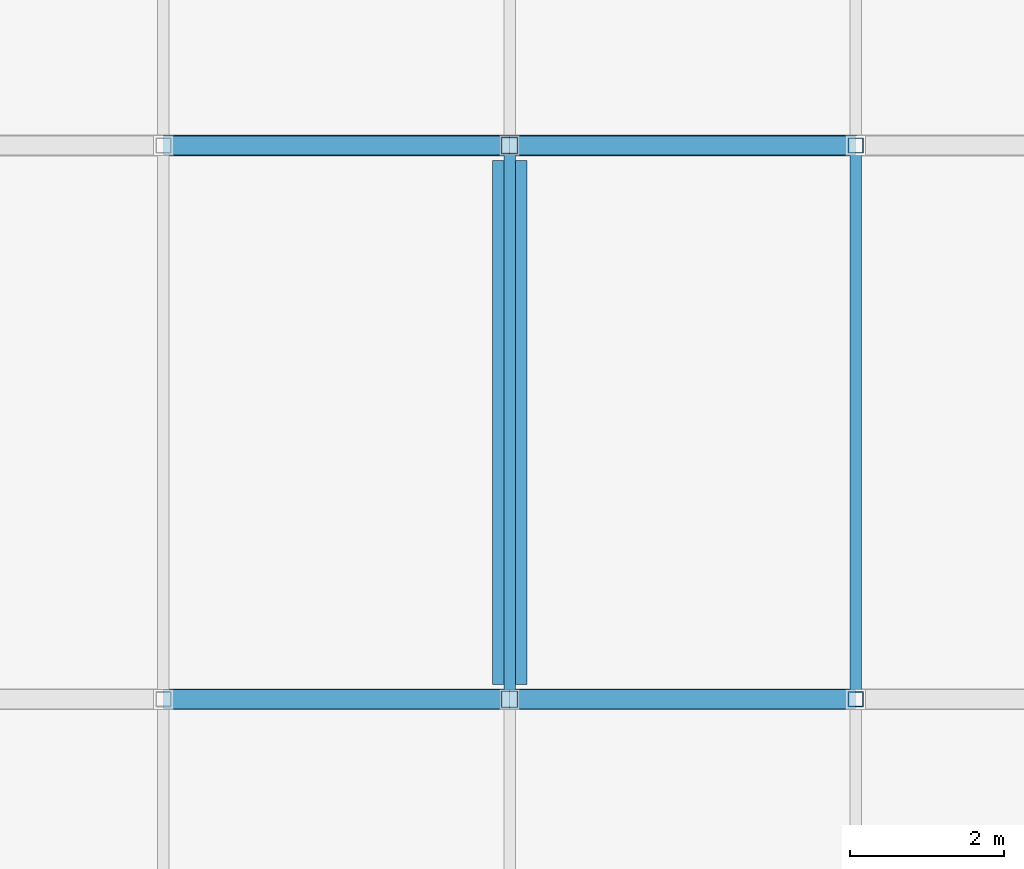
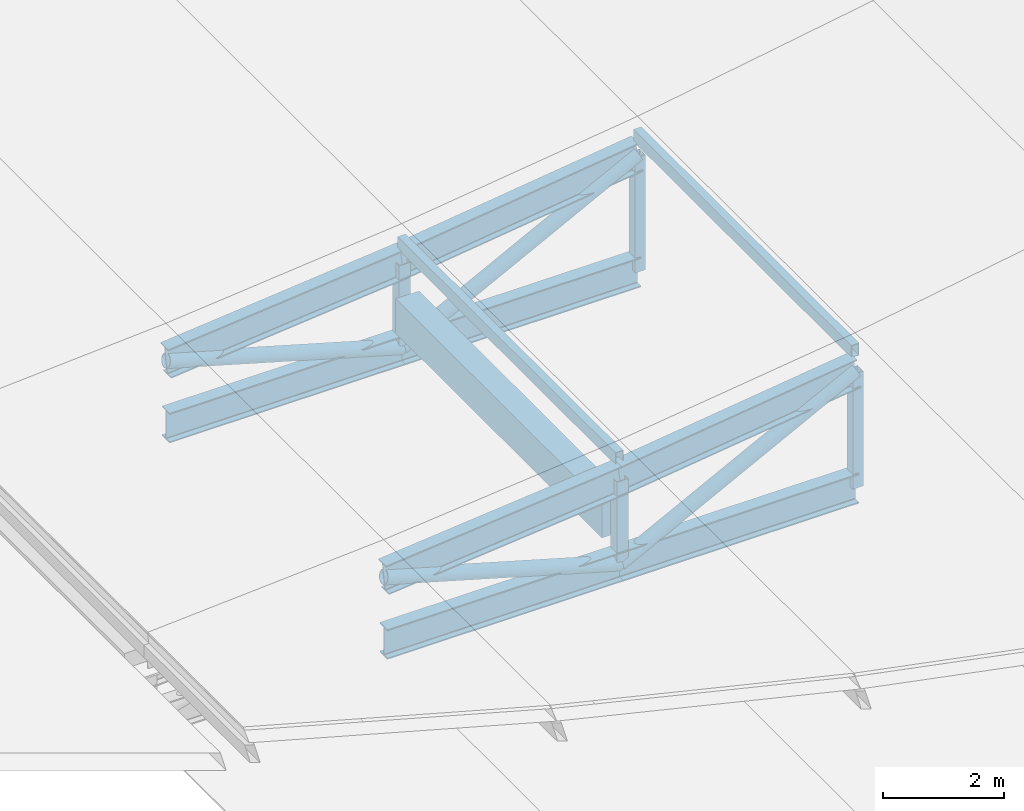
# One storey, part 4 of 24: 10 members, 9 beams.
"""IFC4 building model written with IfcOpenShell, lengths in metres."""

from ifc_helpers import new_model, si_unit, direction, frame, origin, origin_2d, place, context, subcontext, project, spatial, rectangle, hollow_rectangle, hollow_circle, i_section, extrude, material, material_profile, profile_set, type_object, element, save


model = new_model("IFC4")

# Units and contexts
model_context = context("Model", 3, precision=1e-05, world=origin(), true_north=direction((0.0, 1.0)))
body_context = subcontext(model_context, "Body", "Model", "MODEL_VIEW")
ifc_project = project(units=[si_unit("LENGTHUNIT", "METRE"), si_unit("AREAUNIT", "SQUARE_METRE"), si_unit("VOLUMEUNIT", "CUBIC_METRE"), si_unit("PLANEANGLEUNIT", "RADIAN"), si_unit("MASSUNIT", "GRAM", prefix="KILO"), si_unit("THERMODYNAMICTEMPERATUREUNIT", "KELVIN"), si_unit("POWERUNIT", "WATT")], contexts=[model_context])

# Site, building, storey
site_placement = place(None, origin())
site = spatial("IfcSite", under=ifc_project, at=site_placement, CompositionType="ELEMENT")
building_placement = place(site_placement, origin())
building = spatial("IfcBuilding", under=site, at=building_placement, Name="Sindhuravela Promenade Stadium", CompositionType="ELEMENT")
storey_placement = place(building_placement, frame((0.0, 0.0, 28.800048828125)))
storey = spatial("IfcBuildingStorey", under=building, at=storey_placement, Name="RF", CompositionType="ELEMENT", Elevation=28.800048828125)

# Beams
ifc_material_1 = material(Name="Concrete M40", Category="concrete")
ifc_material_profile_1 = material_profile(ifc_material_1, rectangle(XDim=0.449951171875, YDim=0.699951171875, at=origin_2d()), Name="RC 450x700")
ifc_profile_set_1 = profile_set([ifc_material_profile_1], Name="Concrete M40")
beam_type_1 = type_object("IfcBeamType", Name="RC-BM-450x700", PredefinedType="BEAM", material=ifc_profile_set_1)
beam_1_placement = place(storey_placement, frame((27.0, 61.393310546875, -0.590087890625), z_axis=(0.0, 1.0, 0.0), x_axis=(-1.0, 0.0, 0.0)))
element("IfcBeam", 1, at=beam_1_placement, inside=storey, type_object=beam_type_1, Name="Primary beam GB07 WEST RF", PredefinedType="BEAM", context=body_context, shape_type="SweptSolid", body=[
    extrude(rectangle(XDim=0.449951171875, YDim=0.699951171875, at=origin_2d()), origin(), (0.0, 0.0, 1.0), 6.8134765625),
])
ifc_material_2 = material(Name="Steel E350 (IS 2062 E350BR)", Category="steel")
ifc_material_profile_2 = material_profile(ifc_material_2, i_section(OverallWidth=0.25, OverallDepth=0.60009765625, WebThickness=0.01171875, FlangeThickness=0.023681640625, FilletRadius=0.01708984375, at=origin_2d()), Name="ISWB 600")
ifc_profile_set_2 = profile_set([ifc_material_profile_2], Name="Steel E350 (IS 2062 E350BR)")
beam_type_2 = type_object("IfcBeamType", Name="ST-BM-WB600", PredefinedType="USERDEFINED", material=ifc_profile_set_2)
beam_2_placement = place(storey_placement, frame((22.5, 61.199951171875, -0.106689453125), z_axis=(0.9953538541007115, 0.0, 0.09628450096905213), x_axis=(0.0, 1.0, 0.0)))
element("IfcBeam", 2, at=beam_2_placement, inside=storey, type_object=beam_type_2, Name="Roof truss RT-W03 top chord 2", ObjectType="ROOF TRUSS", PredefinedType="USERDEFINED", context=body_context, shape_type="SweptSolid", body=[
    extrude(i_section(OverallWidth=0.25, OverallDepth=0.60009765625, WebThickness=0.01171875, FlangeThickness=0.023681640625, FilletRadius=0.01708984375, at=origin_2d()), origin(), (0.0, 0.0, 1.0), 4.52099609375),
])
beam_3_placement = place(storey_placement, frame((22.5, 61.199951171875, -1.400146484375), z_axis=(1.0, 0.0, 0.0), x_axis=(0.0, 1.0, 0.0)))
element("IfcBeam", 3, at=beam_3_placement, inside=storey, type_object=beam_type_2, Name="Roof truss RT-W03 bottom chord 2", ObjectType="ROOF TRUSS", PredefinedType="USERDEFINED", context=body_context, shape_type="SweptSolid", body=[
    extrude(i_section(OverallWidth=0.25, OverallDepth=0.60009765625, WebThickness=0.01171875, FlangeThickness=0.023681640625, FilletRadius=0.01708984375, at=origin_2d()), origin(), (0.0, 0.0, 1.0), 4.5),
])
beam_4_placement = place(storey_placement, frame((27.0, 61.199951171875, 0.32861328125), z_axis=(0.9915324824363395, 0.0, 0.12985890910380443), x_axis=(0.0, 1.0, 0.0)))
element("IfcBeam", 4, at=beam_4_placement, inside=storey, type_object=beam_type_2, Name="Roof truss RT-W03 top chord 3", ObjectType="ROOF TRUSS", PredefinedType="USERDEFINED", context=body_context, shape_type="SweptSolid", body=[
    extrude(i_section(OverallWidth=0.25, OverallDepth=0.60009765625, WebThickness=0.01171875, FlangeThickness=0.023681640625, FilletRadius=0.01708984375, at=origin_2d()), origin(), (0.0, 0.0, 1.0), 4.538330078125),
])
beam_5_placement = place(storey_placement, frame((27.0, 61.199951171875, -1.400146484375), z_axis=(1.0, 0.0, 0.0), x_axis=(0.0, 1.0, 0.0)))
element("IfcBeam", 5, at=beam_5_placement, inside=storey, type_object=beam_type_2, Name="Roof truss RT-W03 bottom chord 3", ObjectType="ROOF TRUSS", PredefinedType="USERDEFINED", context=body_context, shape_type="SweptSolid", body=[
    extrude(i_section(OverallWidth=0.25, OverallDepth=0.60009765625, WebThickness=0.01171875, FlangeThickness=0.023681640625, FilletRadius=0.01708984375, at=origin_2d()), origin(), (0.0, 0.0, 1.0), 4.5),
])
beam_6_placement = place(storey_placement, frame((22.5, 68.39990234375, -0.106689453125), z_axis=(0.9953538541007115, 0.0, 0.09628450096905213), x_axis=(0.0, 1.0, 0.0)))
element("IfcBeam", 6, at=beam_6_placement, inside=storey, type_object=beam_type_2, Name="Roof truss RT-W04 top chord 2", ObjectType="ROOF TRUSS", PredefinedType="USERDEFINED", context=body_context, shape_type="SweptSolid", body=[
    extrude(i_section(OverallWidth=0.25, OverallDepth=0.60009765625, WebThickness=0.01171875, FlangeThickness=0.023681640625, FilletRadius=0.01708984375, at=origin_2d()), origin(), (0.0, 0.0, 1.0), 4.52099609375),
])
beam_7_placement = place(storey_placement, frame((22.5, 68.39990234375, -1.400146484375), z_axis=(1.0, 0.0, 0.0), x_axis=(0.0, 1.0, 0.0)))
element("IfcBeam", 7, at=beam_7_placement, inside=storey, type_object=beam_type_2, Name="Roof truss RT-W04 bottom chord 2", ObjectType="ROOF TRUSS", PredefinedType="USERDEFINED", context=body_context, shape_type="SweptSolid", body=[
    extrude(i_section(OverallWidth=0.25, OverallDepth=0.60009765625, WebThickness=0.01171875, FlangeThickness=0.023681640625, FilletRadius=0.01708984375, at=origin_2d()), origin(), (0.0, 0.0, 1.0), 4.5),
])
beam_8_placement = place(storey_placement, frame((27.0, 68.39990234375, 0.32861328125), z_axis=(0.9915324824363395, 0.0, 0.12985890910380443), x_axis=(0.0, 1.0, 0.0)))
element("IfcBeam", 8, at=beam_8_placement, inside=storey, type_object=beam_type_2, Name="Roof truss RT-W04 top chord 3", ObjectType="ROOF TRUSS", PredefinedType="USERDEFINED", context=body_context, shape_type="SweptSolid", body=[
    extrude(i_section(OverallWidth=0.25, OverallDepth=0.60009765625, WebThickness=0.01171875, FlangeThickness=0.023681640625, FilletRadius=0.01708984375, at=origin_2d()), origin(), (0.0, 0.0, 1.0), 4.538330078125),
])
beam_9_placement = place(storey_placement, frame((27.0, 68.39990234375, -1.400146484375), z_axis=(1.0, 0.0, 0.0), x_axis=(0.0, 1.0, 0.0)))
element("IfcBeam", 9, at=beam_9_placement, inside=storey, type_object=beam_type_2, Name="Roof truss RT-W04 bottom chord 3", ObjectType="ROOF TRUSS", PredefinedType="USERDEFINED", context=body_context, shape_type="SweptSolid", body=[
    extrude(i_section(OverallWidth=0.25, OverallDepth=0.60009765625, WebThickness=0.01171875, FlangeThickness=0.023681640625, FilletRadius=0.01708984375, at=origin_2d()), origin(), (0.0, 0.0, 1.0), 4.5),
])

# Members
ifc_material_profile_3 = material_profile(ifc_material_2, hollow_circle(Radius=0.136474609375, WallThickness=0.010009765625, at=origin_2d()), Name="CHS 273.0x10")
ifc_profile_set_3 = profile_set([ifc_material_profile_3], Name="Steel E350 (IS 2062 E350BR)")
member_type_1 = type_object("IfcMemberType", Name="ST-MB-CHS273", PredefinedType="BRACE", material=ifc_profile_set_3)
member_1_placement = place(storey_placement, frame((22.5, 61.199951171875, -0.106689453125), z_axis=(0.9610859178775457, 0.0, -0.2762496306920159), x_axis=(0.0, 1.0, 0.0)))
element("IfcMember", 10, at=member_1_placement, inside=storey, type_object=member_type_1, Name="Roof truss RT-W03 diagonal web 2", PredefinedType="BRACE", context=body_context, shape_type="SweptSolid", body=[
    extrude(hollow_circle(Radius=0.136474609375, WallThickness=0.010009765625, at=origin_2d()), origin(), (0.0, 0.0, 1.0), 4.68212890625),
])
member_2_placement = place(storey_placement, frame((27.0, 61.199951171875, -1.400146484375), z_axis=(0.8889799113932431, 0.0, 0.457946194589781), x_axis=(0.0, 1.0, 0.0)))
element("IfcMember", 11, at=member_2_placement, inside=storey, type_object=member_type_1, Name="Roof truss RT-W03 diagonal web 3", PredefinedType="BRACE", context=body_context, shape_type="SweptSolid", body=[
    extrude(hollow_circle(Radius=0.136474609375, WallThickness=0.010009765625, at=origin_2d()), origin(), (0.0, 0.0, 1.0), 5.06201171875),
])
member_3_placement = place(storey_placement, frame((22.5, 68.39990234375, -0.106689453125), z_axis=(0.9610859178775457, 0.0, -0.2762496306920159), x_axis=(0.0, 1.0, 0.0)))
element("IfcMember", 12, at=member_3_placement, inside=storey, type_object=member_type_1, Name="Roof truss RT-W04 diagonal web 2", PredefinedType="BRACE", context=body_context, shape_type="SweptSolid", body=[
    extrude(hollow_circle(Radius=0.136474609375, WallThickness=0.010009765625, at=origin_2d()), origin(), (0.0, 0.0, 1.0), 4.68212890625),
])
member_4_placement = place(storey_placement, frame((27.0, 68.39990234375, -1.400146484375), z_axis=(0.8889799113932431, 0.0, 0.457946194589781), x_axis=(0.0, 1.0, 0.0)))
element("IfcMember", 13, at=member_4_placement, inside=storey, type_object=member_type_1, Name="Roof truss RT-W04 diagonal web 3", PredefinedType="BRACE", context=body_context, shape_type="SweptSolid", body=[
    extrude(hollow_circle(Radius=0.136474609375, WallThickness=0.010009765625, at=origin_2d()), origin(), (0.0, 0.0, 1.0), 5.06201171875),
])
ifc_material_profile_4 = material_profile(ifc_material_2, hollow_rectangle(XDim=0.14990234375, YDim=0.25, WallThickness=0.010009765625, at=origin_2d()), Name="RHS 250x150x10")
ifc_profile_set_4 = profile_set([ifc_material_profile_4], Name="Steel E350 (IS 2062 E350BR)")
member_type_2 = type_object("IfcMemberType", Name="ST-MB-RHS250", PredefinedType="PURLIN", material=ifc_profile_set_4)
for number, where, z_axis, x_axis, name in (
    (14, (27.0, 61.199951171875, 0.720703125), (0.0, 1.0, 0.0), (-1.0, 0.0, 0.0), "Roof purlin PR01 W bay 3.3"),
    (15, (31.5, 61.199951171875, 1.31005859375), (0.0, 1.0, 0.0), (-1.0, 0.0, 0.0), "Roof purlin PR01 W bay 3.4"),
):
    element("IfcMember", number, at=place(storey_placement, frame(where, z_axis=z_axis, x_axis=x_axis)), inside=storey, type_object=member_type_2, Name=name, PredefinedType="PURLIN", context=body_context, shape_type="SweptSolid", body=[
        extrude(hollow_rectangle(XDim=0.14990234375, YDim=0.25, WallThickness=0.010009765625, at=origin_2d()), origin(), (0.0, 0.0, 1.0), 7.199951171875),
    ])
ifc_material_profile_5 = material_profile(ifc_material_2, hollow_rectangle(XDim=0.199951171875, YDim=0.199951171875, WallThickness=0.010009765625, at=origin_2d()), Name="SHS 200x200x10")
ifc_profile_set_5 = profile_set([ifc_material_profile_5], Name="Steel E350 (IS 2062 E350BR)")
member_type_3 = type_object("IfcMemberType", Name="ST-MB-SHS200", PredefinedType="POST", material=ifc_profile_set_5)
for number, where, z_axis, x_axis, name in (
    (16, (31.5, 61.199951171875, -1.400146484375), (0.0, 0.0, 1.0), (1.0, 0.0, 0.0), "Roof truss RT-W03 vertical post 4"),
    (17, (31.5, 68.39990234375, -1.400146484375), (0.0, 0.0, 1.0), (1.0, 0.0, 0.0), "Roof truss RT-W04 vertical post 4"),
):
    element("IfcMember", number, at=place(storey_placement, frame(where, z_axis=z_axis, x_axis=x_axis)), inside=storey, type_object=member_type_3, Name=name, PredefinedType="POST", context=body_context, shape_type="SweptSolid", body=[
        extrude(hollow_rectangle(XDim=0.199951171875, YDim=0.199951171875, WallThickness=0.010009765625, at=origin_2d()), origin(), (0.0, 0.0, 1.0), 2.318115234375),
    ])
ifc_material_profile_6 = material_profile(ifc_material_2, hollow_rectangle(XDim=0.219970703125, YDim=0.219970703125, WallThickness=0.011962890625, at=origin_2d()), Name="SHS 220x220x12")
ifc_profile_set_6 = profile_set([ifc_material_profile_6], Name="Steel E350 (IS 2062 E350BR)")
member_type_4 = type_object("IfcMemberType", Name="ST-MB-SHS220", PredefinedType="POST", material=ifc_profile_set_6)
for number, where, z_axis, x_axis, name in (
    (18, (27.0, 61.199951171875, -1.400146484375), (0.0, 0.0, 1.0), (1.0, 0.0, 0.0), "Roof truss RT-W03 vertical post 3"),
    (19, (27.0, 68.39990234375, -1.400146484375), (0.0, 0.0, 1.0), (1.0, 0.0, 0.0), "Roof truss RT-W04 vertical post 3"),
):
    element("IfcMember", number, at=place(storey_placement, frame(where, z_axis=z_axis, x_axis=x_axis)), inside=storey, type_object=member_type_4, Name=name, PredefinedType="POST", context=body_context, shape_type="SweptSolid", body=[
        extrude(hollow_rectangle(XDim=0.219970703125, YDim=0.219970703125, WallThickness=0.011962890625, at=origin_2d()), origin(), (0.0, 0.0, 1.0), 1.728759765625),
    ])

save(model, "model.ifc")
